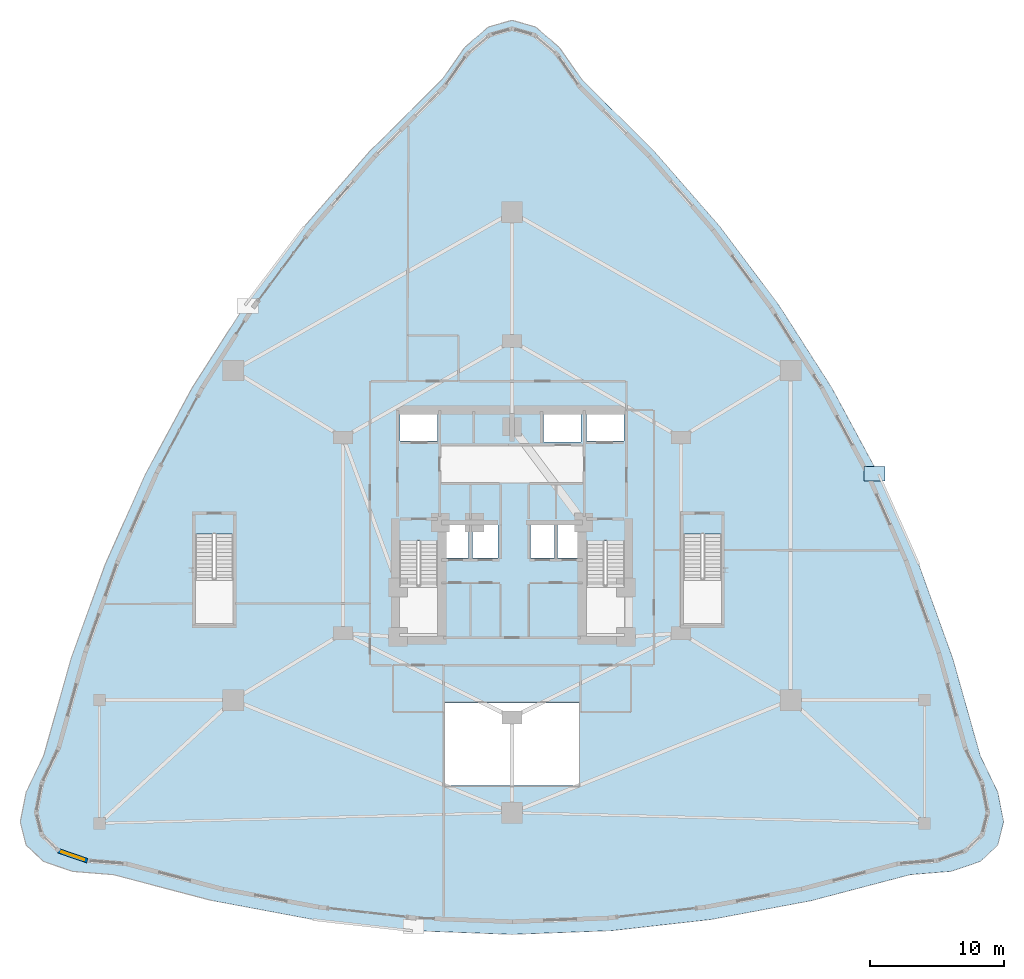
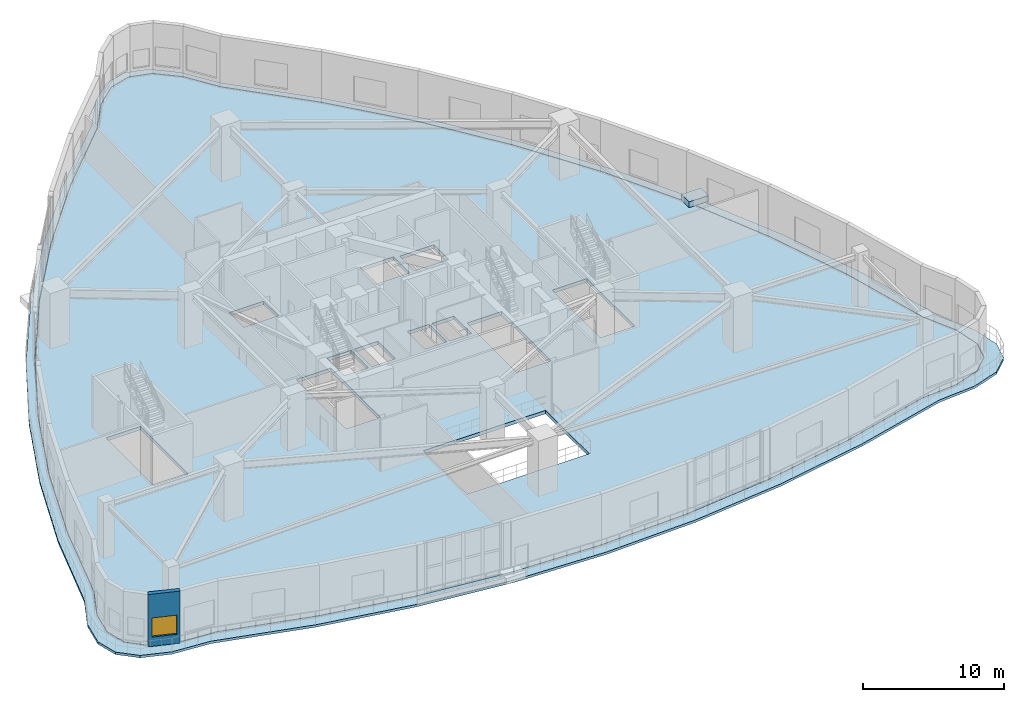
# One storey, part 14 of 25: 3 slabs, 1 wall, 1 window, 1 opening.
"""IFC4 building model written with IfcOpenShell, lengths in metres."""

from ifc_helpers import new_model, si_unit, direction, frame, frame_2d, origin, place, context, subcontext, project, spatial, polyline, rectangle, outline, extrude, material, layer, layer_set, type_object, element, fill, save


model = new_model("IFC4")

# Units and contexts
model_context = context("Model", 3, precision=1e-05, world=origin(), true_north=direction((0.0, 1.0)))
body_context = subcontext(model_context, "Body", "Model", "MODEL_VIEW")
ifc_project = project(units=[si_unit("LENGTHUNIT", "METRE"), si_unit("AREAUNIT", "SQUARE_METRE"), si_unit("VOLUMEUNIT", "CUBIC_METRE"), si_unit("PLANEANGLEUNIT", "RADIAN"), si_unit("MASSUNIT", "GRAM", prefix="KILO")], contexts=[model_context])

# Site, building, storey
site_placement = place(None, origin())
site = spatial("IfcSite", under=ifc_project, at=site_placement, CompositionType="ELEMENT")
building_placement = place(site_placement, origin())
building = spatial("IfcBuilding", under=site, at=building_placement, Name="Miruveldt Soraemaru", CompositionType="ELEMENT")
storey_placement = place(building_placement, frame((0.0, 0.0, 4.800048828125)))
storey = spatial("IfcBuildingStorey", under=building, at=storey_placement, Name="L02", CompositionType="ELEMENT", Elevation=4.800048828125)

# Slabs
ifc_material_1 = material(Name="Precast concrete C45/55 (45 MPa)", Category="concrete")
ifc_layer_1 = layer(ifc_material_1, 0.179931640625, Name="Precast concrete C45/55 (45 MPa)", Category="concrete")
ifc_layer_set_1 = layer_set([ifc_layer_1], Name="Precast concrete C45/55 (45 MPa)")
slab_type_1 = type_object("IfcSlabType", Name="SLAB-PLTR-180", PredefinedType="USERDEFINED", material=ifc_layer_set_1)
slab_1_placement = place(storey_placement, origin())
element("IfcSlab", 1, at=slab_1_placement, inside=storey, type_object=slab_type_1, Name="L02 Terrace Planter Bed PLANTER 3", ObjectType="PLANTER", PredefinedType="USERDEFINED", context=body_context, shape_type="SweptSolid", body=[
    extrude(outline(polyline([(70.260009765625, 47.14111328125), (71.860107421875, 47.14111328125), (71.860107421875, 48.240966796875), (70.260009765625, 48.240966796875), (70.260009765625, 47.14111328125)])), origin(), (0.0, 0.0, 1.0), 0.5),
])
ifc_material_2 = material(Name="Concrete C40/50 (40 MPa)", Category="concrete")
ifc_layer_2 = layer(ifc_material_2, 0.300048828125, Name="Concrete C40/50 (40 MPa)", Category="concrete")
ifc_layer_set_2 = layer_set([ifc_layer_2], Name="Concrete C40/50 (40 MPa)")
slab_type_2 = type_object("IfcSlabType", Name="SLAB-PODM-300", PredefinedType="FLOOR", material=ifc_layer_set_2)
slab_2_placement = place(storey_placement, frame((0.0, 0.0, -0.300048828125)))
element("IfcSlab", 2, at=slab_2_placement, inside=storey, type_object=slab_type_2, Name="L02 Structural Floor Slab", PredefinedType="FLOOR", context=body_context, shape_type="SweptSolid", body=[
    extrude(outline(polyline([(54.270751953125, 71.359619140625), (59.02392578125, 65.866455078125), (63.314697265625, 60.103515625), (67.142822265625, 54.07080078125), (70.50830078125, 47.768310546875), (73.411376953125, 41.1962890625), (75.851806640625, 34.354248046875), (77.82958984375, 27.242431640625), (79.09326171875, 24.593994140625), (79.514404296875, 22.427001953125), (79.09326171875, 20.741455078125), (77.82958984375, 19.53759765625), (75.723388671875, 18.815185546875), (72.774658203125, 18.574462890625), (65.580810546875, 16.686279296875), (58.38720703125, 15.33740234375), (51.193603515625, 14.528076171875), (44.0, 14.25830078125), (36.806396484375, 14.528076171875), (29.61279296875, 15.33740234375), (22.419189453125, 16.686279296875), (15.225341796875, 18.574462890625), (12.276611328125, 18.815185546875), (10.17041015625, 19.53759765625), (8.90673828125, 20.741455078125), (8.485595703125, 22.427001953125), (8.90673828125, 24.593994140625), (10.17041015625, 27.242431640625), (12.148193359375, 34.354248046875), (14.588623046875, 41.1962890625), (17.49169921875, 47.768310546875), (20.857177734375, 54.07080078125), (24.685302734375, 60.103515625), (28.97607421875, 65.866455078125), (33.729248046875, 71.359619140625), (38.945068359375, 76.5830078125), (40.6298828125, 78.99072265625), (42.31494140625, 80.435546875), (44.0, 80.9169921875), (45.68505859375, 80.435546875), (47.3701171875, 78.99072265625), (49.054931640625, 76.5830078125), (54.270751953125, 71.359619140625)]), holes=[polyline([(48.985107421875, 24.4150390625), (48.985107421875, 30.5849609375), (39.014892578125, 30.5849609375), (39.014892578125, 24.4150390625), (48.985107421875, 24.4150390625)]), polyline([(35.614990234375, 42.68505859375), (35.614990234375, 35.6650390625), (38.43505859375, 35.6650390625), (38.43505859375, 42.68505859375), (35.614990234375, 42.68505859375)]), polyline([(20.364990234375, 43.18505859375), (20.364990234375, 36.4150390625), (23.18505859375, 36.4150390625), (23.18505859375, 43.18505859375), (20.364990234375, 43.18505859375)]), polyline([(40.764892578125, 41.4150390625), (40.764892578125, 43.885009765625), (38.81494140625, 43.885009765625), (38.81494140625, 41.4150390625), (40.764892578125, 41.4150390625)]), polyline([(41.034912109375, 41.4150390625), (42.965087890625, 41.4150390625), (42.965087890625, 43.885009765625), (41.034912109375, 43.885009765625), (41.034912109375, 41.4150390625)]), polyline([(35.635009765625, 50.135009765625), (38.445068359375, 50.135009765625), (38.445068359375, 52.205078125), (35.635009765625, 52.205078125), (35.635009765625, 50.135009765625)]), polyline([(49.56494140625, 35.6650390625), (52.385009765625, 35.6650390625), (52.385009765625, 42.68505859375), (49.56494140625, 42.68505859375), (49.56494140625, 35.6650390625)]), polyline([(56.81494140625, 43.18505859375), (56.81494140625, 36.4150390625), (59.635009765625, 36.4150390625), (59.635009765625, 43.18505859375), (56.81494140625, 43.18505859375)]), polyline([(45.364990234375, 41.4150390625), (47.1650390625, 41.4150390625), (47.1650390625, 43.885009765625), (45.364990234375, 43.885009765625), (45.364990234375, 41.4150390625)]), polyline([(49.18505859375, 41.4150390625), (49.18505859375, 43.885009765625), (47.39501953125, 43.885009765625), (47.39501953125, 41.4150390625), (49.18505859375, 41.4150390625)]), polyline([(49.554931640625, 50.135009765625), (52.364990234375, 50.135009765625), (52.364990234375, 52.205078125), (49.554931640625, 52.205078125), (49.554931640625, 50.135009765625)]), polyline([(46.364990234375, 50.06494140625), (49.135009765625, 50.06494140625), (49.135009765625, 52.3349609375), (46.364990234375, 52.3349609375), (46.364990234375, 50.06494140625)])]), origin(), (0.0, 0.0, 1.0), 0.300048828125),
])
ifc_layer_3 = layer(ifc_material_2, 0.2099609375, Name="Concrete C40/50 (40 MPa)", Category="concrete")
ifc_layer_set_3 = layer_set([ifc_layer_3], Name="Concrete C40/50 (40 MPa)")
slab_type_3 = type_object("IfcSlabType", Name="SLAB-TERR-210", PredefinedType="ROOF", material=ifc_layer_set_3)
slab_3_placement = place(storey_placement, frame((0.0, 0.0, -0.2099609375)))
element("IfcSlab", 3, at=slab_3_placement, inside=storey, type_object=slab_type_3, Name="L02 Planted Terrace Roof Slab", PredefinedType="ROOF", context=body_context, shape_type="SweptSolid", body=[
    extrude(outline(polyline([(54.596923828125, 71.771484375), (59.4970703125, 66.1591796875), (63.923828125, 60.26806640625), (67.877197265625, 54.09814453125), (71.357666015625, 47.649658203125), (74.364990234375, 40.922119140625), (76.89892578125, 33.916015625), (78.959716796875, 26.631103515625), (80.265625, 23.921630859375), (80.700927734375, 21.704833984375), (80.265625, 19.980712890625), (78.959716796875, 18.749267578125), (76.783203125, 18.01025390625), (73.73583984375, 17.763916015625), (66.302001953125, 15.8125), (58.867919921875, 14.418701171875), (51.43408203125, 13.58251953125), (44.0, 13.3037109375), (36.56591796875, 13.58251953125), (29.132080078125, 14.418701171875), (21.697998046875, 15.8125), (14.26416015625, 17.763916015625), (11.216796875, 18.01025390625), (9.040283203125, 18.749267578125), (7.734375, 19.980712890625), (7.299072265625, 21.704833984375), (7.734375, 23.921630859375), (9.040283203125, 26.631103515625), (11.10107421875, 33.916015625), (13.635009765625, 40.922119140625), (16.642333984375, 47.649658203125), (20.122802734375, 54.09814453125), (24.076171875, 60.26806640625), (28.5029296875, 66.1591796875), (33.403076171875, 71.771484375), (38.776123046875, 77.10498046875), (40.517333984375, 79.568115234375), (42.2587890625, 81.0458984375), (44.0, 81.53857421875), (45.7412109375, 81.0458984375), (47.482666015625, 79.568115234375), (49.223876953125, 77.10498046875), (54.596923828125, 71.771484375)]), holes=[polyline([(47.38232421875, 78.99951171875), (45.69482421875, 80.447021484375), (44.004150390625, 80.931396484375), (42.310791015625, 80.449951171875), (40.6201171875, 79.002197265625), (38.93359375, 76.5927734375), (33.718505859375, 71.3701171875), (28.964599609375, 65.876220703125), (24.67333984375, 60.112548828125), (20.844482421875, 54.078857421875), (17.478515625, 47.775390625), (14.574951171875, 41.202392578125), (12.13427734375, 34.359130859375), (10.15625, 27.247802734375), (8.893310546875, 24.600341796875), (8.470703125, 22.4296875), (8.89208984375, 20.73779296875), (10.16015625, 19.526611328125), (12.271728515625, 18.801025390625), (15.222900390625, 18.559814453125), (22.415283203125, 16.671630859375), (29.60986328125, 15.32275390625), (36.8046875, 14.51318359375), (43.99951171875, 14.243408203125), (51.194091796875, 14.51318359375), (58.388916015625, 15.322509765625), (65.583740234375, 16.67138671875), (72.777099609375, 18.559814453125), (75.724609375, 18.80029296875), (77.83447265625, 19.5234375), (79.103515625, 20.730712890625), (79.529052734375, 22.42333984375), (79.10791015625, 24.5966796875), (77.84375, 27.247802734375), (75.8662109375, 34.358154296875), (73.42529296875, 41.201171875), (70.522216796875, 47.7744140625), (67.156005859375, 54.077880859375), (63.327392578125, 60.111572265625), (59.035888671875, 65.87548828125), (54.281982421875, 71.369384765625), (49.06640625, 76.5927734375), (47.38232421875, 78.99951171875)])]), origin(), (0.0, 0.0, 1.0), 0.2099609375),
])

# Wall, opening, window
ifc_layer_4 = layer(ifc_material_1, 0.340087890625, Name="Precast concrete C45/55 (45 MPa)", Category="concrete")
ifc_layer_set_4 = layer_set([ifc_layer_4], Name="Precast concrete C45/55 (45 MPa)")
wall_type = type_object("IfcWallType", Name="WALL-EXT-PC340", PredefinedType="SOLIDWALL", material=ifc_layer_set_4)
wall_placement = place(storey_placement, frame((10.13720703125, 19.549072265625, 0.0), z_axis=(0.0, 0.0, 1.0), x_axis=(0.945916126648, -0.324411284249, 0.0)))
wall = element("IfcWall", 4, at=wall_placement, inside=storey, type_object=wall_type, Name="L02 Precast Concrete Facade Wall 19", PredefinedType="SOLIDWALL", context=body_context, shape_type="SweptSolid", body=[
    extrude(rectangle(XDim=2.296875, YDim=0.340087890625, at=frame_2d((1.1484375, 0.0))), origin(), (0.0, 0.0, 1.0), 4.5),
])
opening_placement = place(wall_placement, frame((0.2490234375, 0.0, 0.800048828125)))
opening = element("IfcOpeningElement", 5, at=opening_placement, cuts=wall, Name="Opening WN-2", PredefinedType="OPENING", context=body_context, shape_type="SweptSolid", body=[
    extrude(rectangle(XDim=1.800048828125, YDim=1.64990234375, at=frame_2d((0.89990234375, 0.824951171875))), frame((0.0, 0.18017578125, 0.0), z_axis=(0.0, -1.0, 0.0), x_axis=(1.0, 0.0, 0.0)), (0.0, 0.0, 1.0), 0.360107421875),
])
ifc_material_3 = material(Name="Triple low-e insulated glazing", Category="glass")
window_type = type_object("IfcWindowType", Name="WIN-PUNCH-1800x1650", PartitioningType="SINGLE_PANEL", PredefinedType="WINDOW", material=ifc_material_3)
window_placement = place(opening_placement, origin())
window = element("IfcWindow", 6, at=window_placement, inside=storey, type_object=window_type, Name="L02 Punched Triple-Glazed Window 19.1", OverallHeight=1.64990234375, OverallWidth=1.800048828125, PartitioningType="SINGLE_PANEL", PredefinedType="WINDOW", context=body_context, shape_type="SweptSolid", body=[
    extrude(rectangle(XDim=1.800048828125, YDim=1.64990234375, at=frame_2d((0.89990234375, 0.824951171875))), frame((0.0, 0.030029296875, 0.0), z_axis=(0.0, -1.0, 0.0), x_axis=(1.0, 0.0, 0.0)), (0.0, 0.0, 1.0), 0.06005859375),
])
fill(opening, window)

save(model, "model.ifc")
